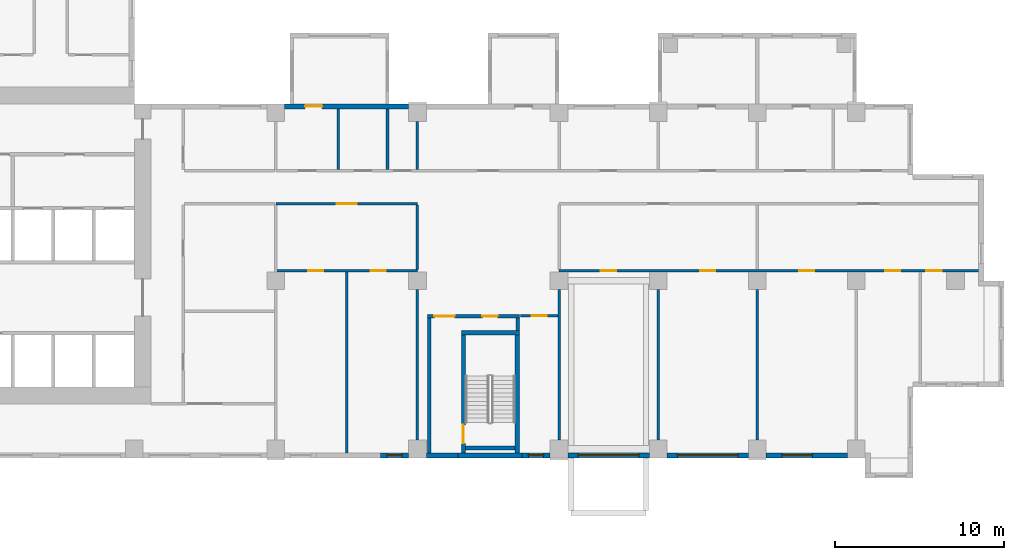
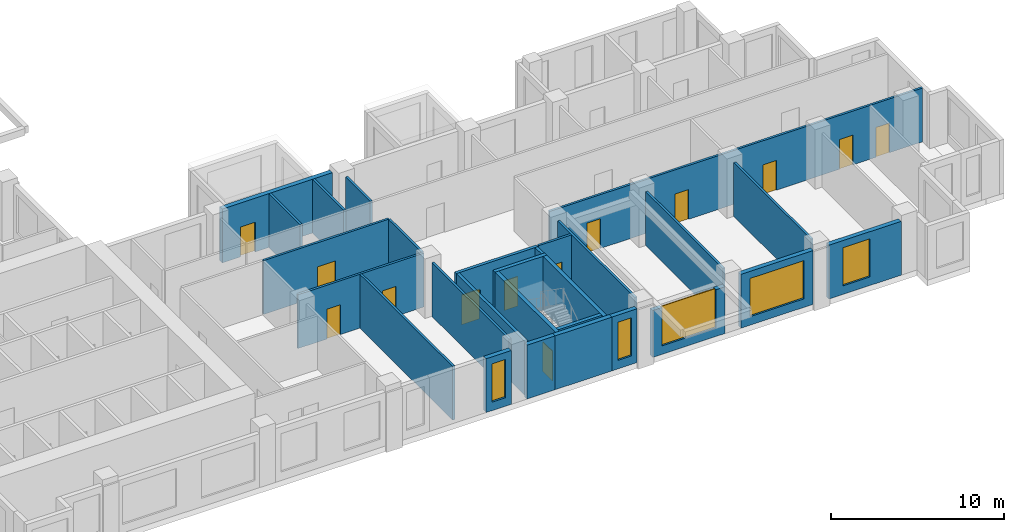
# One storey, part 4 of 14: 28 walls, 13 doors, 5 windows, 18 openings.
"""IFC4 building model written with IfcOpenShell, lengths in metres."""

from ifc_helpers import new_model, si_unit, direction, frame, frame_2d, origin, place, context, subcontext, project, spatial, rectangle, extrude, source, transform, mapped, material, layer, layer_set, type_object, element, fill, save


model = new_model("IFC4")

# Units and contexts
model_context = context("Model", 3, precision=1e-05, world=origin(), true_north=direction((0.0, 1.0)))
body_context = subcontext(model_context, "Body", "Model", "MODEL_VIEW")
ifc_project = project(units=[si_unit("LENGTHUNIT", "METRE"), si_unit("AREAUNIT", "SQUARE_METRE"), si_unit("VOLUMEUNIT", "CUBIC_METRE"), si_unit("PLANEANGLEUNIT", "RADIAN"), si_unit("MASSUNIT", "GRAM", prefix="KILO")], contexts=[model_context])

# Site, building, storey
site_placement = place(None, origin())
site = spatial("IfcSite", under=ifc_project, at=site_placement, CompositionType="ELEMENT")
building_placement = place(site_placement, origin())
building = spatial("IfcBuilding", under=site, at=building_placement, Name="Aurelian Terraces", CompositionType="ELEMENT")
storey_placement = place(building_placement, frame((0.0, 0.0, 141.3)))
storey = spatial("IfcBuildingStorey", under=building, at=storey_placement, Name="L31", CompositionType="ELEMENT", Elevation=141.3)

# Wall
ifc_material_1 = material(Name="Concrete fc' 40 MPa", Category="concrete")
ifc_layer_1 = layer(ifc_material_1, 0.3)
ifc_layer_set_1 = layer_set([ifc_layer_1], Name="STAIR BAY WALL 300")
wall_type_1 = type_object("IfcWallType", Name="STAIR BAY WALL 300", PredefinedType="SOLIDWALL", material=ifc_layer_set_1)
shared_shape_1 = source(origin(), body_context, "Body", "SweptSolid", [
    extrude(rectangle(XDim=3.8, YDim=0.3, at=frame_2d((1.9, 0.0))), origin(), (0.0, 0.0, 1.0), 3.8),
])
wall_1_placement = place(storey_placement, frame((40.2, 0.15, 0.0), z_axis=(0.0, 0.0, 1.0), x_axis=(1.0, 0.0, 0.0)))
element("IfcWall", 1, at=wall_1_placement, inside=storey, type_object=wall_type_1, Name="Stair bay wall L31 F01.6", PredefinedType="SOLIDWALL", context=body_context, shape_type="MappedRepresentation", body=[
    mapped(shared_shape_1, transform((0.0, 0.0, 0.0), scale=1.0)),
])

# Wall, opening, door
ifc_material_2 = material(Name="Terracotta rainscreen cladding", Category="masonry")
ifc_layer_2 = layer(ifc_material_2, 0.3)
ifc_layer_set_2 = layer_set([ifc_layer_2], Name="EW-300")
wall_type_2 = type_object("IfcWallType", Name="EW-300", PredefinedType="STANDARD", material=ifc_layer_set_2)
shared_shape_2 = source(origin(), body_context, "Body", "SweptSolid", [
    extrude(rectangle(XDim=7.35, YDim=0.3, at=frame_2d((3.675, 0.0))), origin(), (0.0, 0.0, 1.0), 3.8),
])
wall_2_placement = place(storey_placement, frame((37.275, 20.85, 0.0), z_axis=(0.0, 0.0, 1.0), x_axis=(-1.0, 0.0, 0.0)))
wall_2 = element("IfcWall", 2, at=wall_2_placement, inside=storey, type_object=wall_type_2, Name="External wall L31 F07.19", PredefinedType="STANDARD", context=body_context, shape_type="MappedRepresentation", body=[
    mapped(shared_shape_2, transform((0.0, 0.0, 0.0), scale=1.0)),
])
shared_shape_3 = source(origin(), body_context, "Body", "SweptSolid", [
    extrude(rectangle(XDim=1.0, YDim=2.1, at=frame_2d((0.5, 1.05))), frame((0.0, 0.16, 0.0), z_axis=(0.0, -1.0, 0.0), x_axis=(1.0, 0.0, 0.0)), (0.0, 0.0, 1.0), 0.32),
])
opening_1_placement = place(wall_2_placement, frame((5.135, 0.0, 0.0)))
opening_1 = element("IfcOpeningElement", 3, at=opening_1_placement, cuts=wall_2, Name="Opening 831001", PredefinedType="OPENING", context=body_context, shape_type="MappedRepresentation", body=[
    mapped(shared_shape_3, transform((0.0, 0.0, 0.0), scale=1.0)),
])
ifc_material_3 = material(Name="Timber door leaf", Category="wood")
door_type_1 = type_object("IfcDoorType", Name="Room door 1000x2100 left", OperationType="SINGLE_SWING_LEFT", PredefinedType="DOOR", material=ifc_material_3)
shared_shape_4 = source(origin(), body_context, "Body", "SweptSolid", [
    extrude(rectangle(XDim=1.0, YDim=2.1, at=frame_2d((0.5, 1.05))), frame((0.0, 0.025, 0.0), z_axis=(0.0, -1.0, 0.0), x_axis=(1.0, 0.0, 0.0)), (0.0, 0.0, 1.0), 0.05),
])
door_1_placement = place(opening_1_placement, origin())
door_1 = element("IfcDoor", 4, at=door_1_placement, inside=storey, type_object=door_type_1, Name="Door 831001", OperationType="SINGLE_SWING_LEFT", OverallHeight=2.1, OverallWidth=1.0, PredefinedType="DOOR", context=body_context, shape_type="MappedRepresentation", body=[
    mapped(shared_shape_4, transform((0.0, 0.0, 0.0), scale=1.0)),
])
fill(opening_1, door_1)

# Wall, opening, window
shared_shape_5 = source(origin(), body_context, "Body", "SweptSolid", [
    extrude(rectangle(XDim=4.83, YDim=0.3, at=frame_2d((2.415, 0.0))), origin(), (0.0, 0.0, 1.0), 3.8),
])
wall_3_placement = place(storey_placement, frame((52.605, 0.15, 0.0), z_axis=(0.0, 0.0, 1.0), x_axis=(1.0, 0.0, 0.0)))
wall_3 = element("IfcWall", 5, at=wall_3_placement, inside=storey, type_object=wall_type_2, Name="External wall L31 F01.8", PredefinedType="STANDARD", context=body_context, shape_type="MappedRepresentation", body=[
    mapped(shared_shape_5, transform((0.0, 0.0, 0.0), scale=1.0)),
])
shared_shape_6 = source(origin(), body_context, "Body", "SweptSolid", [
    extrude(rectangle(XDim=3.6, YDim=2.7, at=frame_2d((1.8, 1.35))), frame((0.0, 0.16, 0.0), z_axis=(0.0, -1.0, 0.0), x_axis=(1.0, 0.0, 0.0)), (0.0, 0.0, 1.0), 0.32),
])
opening_2_placement = place(wall_3_placement, frame((0.615, 0.0, 0.6)))
opening_2 = element("IfcOpeningElement", 6, at=opening_2_placement, cuts=wall_3, Name="Opening W3627", PredefinedType="OPENING", context=body_context, shape_type="MappedRepresentation", body=[
    mapped(shared_shape_6, transform((0.0, 0.0, 0.0), scale=1.0)),
])
ifc_material_4 = material(Name="Clear glazing", Category="glass")
window_type_1 = type_object("IfcWindowType", Name="W-3600x2700", PartitioningType="SINGLE_PANEL", PredefinedType="WINDOW", material=ifc_material_4)
shared_shape_7 = source(origin(), body_context, "Body", "SweptSolid", [
    extrude(rectangle(XDim=3.6, YDim=2.7, at=frame_2d((1.8, 1.35))), frame((0.0, 0.03, 0.0), z_axis=(0.0, -1.0, 0.0), x_axis=(1.0, 0.0, 0.0)), (0.0, 0.0, 1.0), 0.06),
])
window_1_placement = place(opening_2_placement, origin())
window_1 = element("IfcWindow", 7, at=window_1_placement, inside=storey, type_object=window_type_1, Name="Window L31 L31-F01-08-0", OverallHeight=2.7, OverallWidth=3.6, PartitioningType="SINGLE_PANEL", PredefinedType="WINDOW", context=body_context, shape_type="MappedRepresentation", body=[
    mapped(shared_shape_7, transform((0.0, 0.0, 0.0), scale=1.0)),
])
fill(opening_2, window_1)

wall_4_placement = place(storey_placement, frame((58.485, 0.15, 0.0), z_axis=(0.0, 0.0, 1.0), x_axis=(1.0, 0.0, 0.0)))
wall_4 = element("IfcWall", 8, at=wall_4_placement, inside=storey, type_object=wall_type_2, Name="External wall L31 F01.9", PredefinedType="STANDARD", context=body_context, shape_type="MappedRepresentation", body=[
    mapped(shared_shape_5, transform((0.0, 0.0, 0.0), scale=1.0)),
])
shared_shape_8 = source(origin(), body_context, "Body", "SweptSolid", [
    extrude(rectangle(XDim=1.8, YDim=2.7, at=frame_2d((0.9, 1.35))), frame((0.0, 0.16, 0.0), z_axis=(0.0, -1.0, 0.0), x_axis=(1.0, 0.0, 0.0)), (0.0, 0.0, 1.0), 0.32),
])
opening_3_placement = place(wall_4_placement, frame((0.9525, 0.0, 0.6)))
opening_3 = element("IfcOpeningElement", 9, at=opening_3_placement, cuts=wall_4, Name="Opening W1827", PredefinedType="OPENING", context=body_context, shape_type="MappedRepresentation", body=[
    mapped(shared_shape_8, transform((0.0, 0.0, 0.0), scale=1.0)),
])
window_type_2 = type_object("IfcWindowType", Name="W-1800x2700", PartitioningType="SINGLE_PANEL", PredefinedType="WINDOW", material=ifc_material_4)
shared_shape_9 = source(origin(), body_context, "Body", "SweptSolid", [
    extrude(rectangle(XDim=1.8, YDim=2.7, at=frame_2d((0.9, 1.35))), frame((0.0, 0.03, 0.0), z_axis=(0.0, -1.0, 0.0), x_axis=(1.0, 0.0, 0.0)), (0.0, 0.0, 1.0), 0.06),
])
window_2_placement = place(opening_3_placement, origin())
window_2 = element("IfcWindow", 10, at=window_2_placement, inside=storey, type_object=window_type_2, Name="Window L31 L31-F01-09-0", OverallHeight=2.7, OverallWidth=1.8, PartitioningType="SINGLE_PANEL", PredefinedType="WINDOW", context=body_context, shape_type="MappedRepresentation", body=[
    mapped(shared_shape_9, transform((0.0, 0.0, 0.0), scale=1.0)),
])
fill(opening_3, window_2)

shared_shape_10 = source(origin(), body_context, "Body", "SweptSolid", [
    extrude(rectangle(XDim=1.675, YDim=0.3, at=frame_2d((0.8375, 0.0))), origin(), (0.0, 0.0, 1.0), 3.8),
])
wall_5_placement = place(storey_placement, frame((35.6, 0.15, 0.0), z_axis=(0.0, 0.0, 1.0), x_axis=(1.0, 0.0, 0.0)))
wall_5 = element("IfcWall", 11, at=wall_5_placement, inside=storey, type_object=wall_type_2, Name="External wall L31 F01.5", PredefinedType="STANDARD", context=body_context, shape_type="MappedRepresentation", body=[
    mapped(shared_shape_10, transform((0.0, 0.0, 0.0), scale=1.0)),
])
shared_shape_11 = source(origin(), body_context, "Body", "SweptSolid", [
    extrude(rectangle(XDim=0.9, YDim=2.7, at=frame_2d((0.45, 1.35))), frame((0.0, 0.16, 0.0), z_axis=(0.0, -1.0, 0.0), x_axis=(1.0, 0.0, 0.0)), (0.0, 0.0, 1.0), 0.32),
])
opening_4_placement = place(wall_5_placement, frame((0.3875, 0.0, 0.6)))
opening_4 = element("IfcOpeningElement", 12, at=opening_4_placement, cuts=wall_5, Name="Opening W0927", PredefinedType="OPENING", context=body_context, shape_type="MappedRepresentation", body=[
    mapped(shared_shape_11, transform((0.0, 0.0, 0.0), scale=1.0)),
])
window_type_3 = type_object("IfcWindowType", Name="W-900x2700", PartitioningType="SINGLE_PANEL", PredefinedType="WINDOW", material=ifc_material_4)
shared_shape_12 = source(origin(), body_context, "Body", "SweptSolid", [
    extrude(rectangle(XDim=0.9, YDim=2.7, at=frame_2d((0.45, 1.35))), frame((0.0, 0.03, 0.0), z_axis=(0.0, -1.0, 0.0), x_axis=(1.0, 0.0, 0.0)), (0.0, 0.0, 1.0), 0.06),
])
window_3_placement = place(opening_4_placement, origin())
window_3 = element("IfcWindow", 13, at=window_3_placement, inside=storey, type_object=window_type_3, Name="Window L31 L31-F01-05-P2", OverallHeight=2.7, OverallWidth=0.9, PartitioningType="SINGLE_PANEL", PredefinedType="WINDOW", context=body_context, shape_type="MappedRepresentation", body=[
    mapped(shared_shape_12, transform((0.0, 0.0, 0.0), scale=1.0)),
])
fill(opening_4, window_3)

wall_6_placement = place(storey_placement, frame((44.0, 0.15, 0.0), z_axis=(0.0, 0.0, 1.0), x_axis=(1.0, 0.0, 0.0)))
wall_6 = element("IfcWall", 14, at=wall_6_placement, inside=storey, type_object=wall_type_2, Name="External wall L31 F01.6", PredefinedType="STANDARD", context=body_context, shape_type="MappedRepresentation", body=[
    mapped(shared_shape_10, transform((0.0, 0.0, 0.0), scale=1.0)),
])
opening_5_placement = place(wall_6_placement, frame((0.3875, 0.0, 0.6)))
opening_5 = element("IfcOpeningElement", 15, at=opening_5_placement, cuts=wall_6, Name="Opening W0927", PredefinedType="OPENING", context=body_context, shape_type="MappedRepresentation", body=[
    mapped(shared_shape_11, transform((0.0, 0.0, 0.0), scale=1.0)),
])
window_4_placement = place(opening_5_placement, origin())
window_4 = element("IfcWindow", 16, at=window_4_placement, inside=storey, type_object=window_type_3, Name="Window L31 L31-F01-06-P2", OverallHeight=2.7, OverallWidth=0.9, PartitioningType="SINGLE_PANEL", PredefinedType="WINDOW", context=body_context, shape_type="MappedRepresentation", body=[
    mapped(shared_shape_12, transform((0.0, 0.0, 0.0), scale=1.0)),
])
fill(opening_5, window_4)

shared_shape_13 = source(origin(), body_context, "Body", "SweptSolid", [
    extrude(rectangle(XDim=4.83, YDim=0.3, at=frame_2d((2.415, 0.0))), origin(), (0.0, 0.0, 1.0), 3.3),
])
wall_7_placement = place(storey_placement, frame((46.725, 0.15, 0.0), z_axis=(0.0, 0.0, 1.0), x_axis=(1.0, 0.0, 0.0)))
wall_7 = element("IfcWall", 17, at=wall_7_placement, inside=storey, type_object=wall_type_2, Name="External wall L31 F01.7", PredefinedType="STANDARD", context=body_context, shape_type="MappedRepresentation", body=[
    mapped(shared_shape_13, transform((0.0, 0.0, 0.0), scale=1.0)),
])
opening_6_placement = place(wall_7_placement, frame((0.615, 0.0, 0.6)))
opening_6 = element("IfcOpeningElement", 18, at=opening_6_placement, cuts=wall_7, Name="Opening W3627", PredefinedType="OPENING", context=body_context, shape_type="MappedRepresentation", body=[
    mapped(shared_shape_6, transform((0.0, 0.0, 0.0), scale=1.0)),
])
window_5_placement = place(opening_6_placement, origin())
window_5 = element("IfcWindow", 19, at=window_5_placement, inside=storey, type_object=window_type_1, Name="Window L31 L31-F01-07-0", OverallHeight=2.7, OverallWidth=3.6, PartitioningType="SINGLE_PANEL", PredefinedType="WINDOW", context=body_context, shape_type="MappedRepresentation", body=[
    mapped(shared_shape_7, transform((0.0, 0.0, 0.0), scale=1.0)),
])
fill(opening_6, window_5)

# Wall
shared_shape_14 = source(origin(), body_context, "Body", "SweptSolid", [
    extrude(rectangle(XDim=1.875, YDim=0.3, at=frame_2d((0.9375, 0.0))), origin(), (0.0, 0.0, 1.0), 3.8),
])
wall_8_placement = place(storey_placement, frame((38.325, 0.15, 0.0), z_axis=(0.0, 0.0, 1.0), x_axis=(1.0, 0.0, 0.0)))
element("IfcWall", 20, at=wall_8_placement, inside=storey, type_object=wall_type_2, Name="External wall L31 F01.6", PredefinedType="STANDARD", context=body_context, shape_type="MappedRepresentation", body=[
    mapped(shared_shape_14, transform((0.0, 0.0, 0.0), scale=1.0)),
])

# Wall, opening, door
ifc_layer_3 = layer(ifc_material_1, 0.25)
ifc_layer_set_3 = layer_set([ifc_layer_3], Name="Stair enclosure wall 250")
wall_type_3 = type_object("IfcWallType", Name="Stair enclosure wall 250", PredefinedType="SOLIDWALL", material=ifc_layer_set_3)
shared_shape_15 = source(origin(), body_context, "Body", "SweptSolid", [
    extrude(rectangle(XDim=7.0, YDim=0.25, at=frame_2d((3.5, 0.0))), origin(), (0.0, 0.0, 1.0), 3.8),
])
wall_9_placement = place(storey_placement, frame((40.525, 0.3, 0.0), z_axis=(0.0, 0.0, 1.0), x_axis=(0.0, 1.0, 0.0)))
wall_9 = element("IfcWall", 21, at=wall_9_placement, inside=storey, type_object=wall_type_3, Name="L31 core wall ST-S2-W", PredefinedType="SOLIDWALL", context=body_context, shape_type="MappedRepresentation", body=[
    mapped(shared_shape_15, transform((0.0, 0.0, 0.0), scale=1.0)),
])
shared_shape_16 = source(origin(), body_context, "Body", "SweptSolid", [
    extrude(rectangle(XDim=1.1, YDim=2.1, at=frame_2d((0.55, 1.05))), frame((0.0, 0.135, 0.0), z_axis=(0.0, -1.0, 0.0), x_axis=(1.0, 0.0, 0.0)), (0.0, 0.0, 1.0), 0.27),
])
opening_7_placement = place(wall_9_placement, frame((0.55, 0.0, 0.0)))
opening_7 = element("IfcOpeningElement", 22, at=opening_7_placement, cuts=wall_9, Name="Opening 63415", PredefinedType="OPENING", context=body_context, shape_type="MappedRepresentation", body=[
    mapped(shared_shape_16, transform((0.0, 0.0, 0.0), scale=1.0)),
])
ifc_material_5 = material(Name="Steel door leaf", Category="steel")
door_type_2 = type_object("IfcDoorType", Name="Core fire door 1100x2100 right", OperationType="SINGLE_SWING_RIGHT", PredefinedType="DOOR", material=ifc_material_5)
shared_shape_17 = source(origin(), body_context, "Body", "SweptSolid", [
    extrude(rectangle(XDim=1.1, YDim=2.1, at=frame_2d((0.55, 1.05))), frame((0.0, 0.025, 0.0), z_axis=(0.0, -1.0, 0.0), x_axis=(1.0, 0.0, 0.0)), (0.0, 0.0, 1.0), 0.05),
])
door_2_placement = place(opening_7_placement, origin())
door_2 = element("IfcDoor", 23, at=door_2_placement, inside=storey, type_object=door_type_2, Name="Stair door 63415", OperationType="SINGLE_SWING_RIGHT", OverallHeight=2.1, OverallWidth=1.1, PredefinedType="DOOR", context=body_context, shape_type="MappedRepresentation", body=[
    mapped(shared_shape_17, transform((0.0, 0.0, 0.0), scale=1.0)),
])
fill(opening_7, door_2)

# Walls
wall_10_placement = place(storey_placement, frame((43.725, 0.3, 0.0), z_axis=(0.0, 0.0, 1.0), x_axis=(0.0, 1.0, 0.0)))
element("IfcWall", 24, at=wall_10_placement, inside=storey, type_object=wall_type_3, Name="L31 core wall ST-S2-E", PredefinedType="SOLIDWALL", context=body_context, shape_type="MappedRepresentation", body=[
    mapped(shared_shape_15, transform((0.0, 0.0, 0.0), scale=1.0)),
])
shared_shape_18 = source(origin(), body_context, "Body", "SweptSolid", [
    extrude(rectangle(XDim=3.45, YDim=0.25, at=frame_2d((1.725, 0.0))), origin(), (0.0, 0.0, 1.0), 3.8),
])
wall_11_placement = place(storey_placement, frame((40.4, 7.425, 0.0), z_axis=(0.0, 0.0, 1.0), x_axis=(1.0, 0.0, 0.0)))
element("IfcWall", 25, at=wall_11_placement, inside=storey, type_object=wall_type_3, Name="L31 core wall ST-S2-N", PredefinedType="SOLIDWALL", context=body_context, shape_type="MappedRepresentation", body=[
    mapped(shared_shape_18, transform((0.0, 0.0, 0.0), scale=1.0)),
])
shared_shape_19 = source(origin(), body_context, "Body", "SweptSolid", [
    extrude(rectangle(XDim=2.95, YDim=0.25, at=frame_2d((1.475, 0.0))), origin(), (0.0, 0.0, 1.0), 3.8),
])
wall_12_placement = place(storey_placement, frame((40.65, 0.575, 0.0), z_axis=(0.0, 0.0, 1.0), x_axis=(1.0, 0.0, 0.0)))
element("IfcWall", 26, at=wall_12_placement, inside=storey, type_object=wall_type_3, Name="L31 core wall ST-S2-SS", PredefinedType="SOLIDWALL", context=body_context, shape_type="MappedRepresentation", body=[
    mapped(shared_shape_19, transform((0.0, 0.0, 0.0), scale=1.0)),
])
ifc_material_6 = material(Name="Gypsum board on steel studs", Category="steel")
ifc_layer_4 = layer(ifc_material_6, 0.2)
ifc_layer_set_4 = layer_set([ifc_layer_4], Name="Core partition 200")
wall_type_4 = type_object("IfcWallType", Name="Core partition 200", PredefinedType="PARTITIONING", material=ifc_layer_set_4)
shared_shape_20 = source(origin(), body_context, "Body", "SweptSolid", [
    extrude(rectangle(XDim=8.0, YDim=0.2, at=frame_2d((4.0, 0.0))), origin(), (0.0, 0.0, 1.0), 3.8),
])
wall_13_placement = place(storey_placement, frame((38.5, 0.3, 0.0), z_axis=(0.0, 0.0, 1.0), x_axis=(0.0, 1.0, 0.0)))
element("IfcWall", 27, at=wall_13_placement, inside=storey, type_object=wall_type_4, Name="L31 core wall ST-S2-VW", PredefinedType="PARTITIONING", context=body_context, shape_type="MappedRepresentation", body=[
    mapped(shared_shape_20, transform((0.0, 0.0, 0.0), scale=1.0)),
])

# Wall, openings, doors
shared_shape_21 = source(origin(), body_context, "Body", "SweptSolid", [
    extrude(rectangle(XDim=5.45, YDim=0.2, at=frame_2d((2.725, 0.0))), origin(), (0.0, 0.0, 1.0), 3.8),
])
wall_14_placement = place(storey_placement, frame((38.4, 8.4, 0.0), z_axis=(0.0, 0.0, 1.0), x_axis=(1.0, 0.0, 0.0)))
wall_14 = element("IfcWall", 28, at=wall_14_placement, inside=storey, type_object=wall_type_4, Name="L31 core wall ST-S2-BN", PredefinedType="PARTITIONING", context=body_context, shape_type="MappedRepresentation", body=[
    mapped(shared_shape_21, transform((0.0, 0.0, 0.0), scale=1.0)),
])
shared_shape_22 = source(origin(), body_context, "Body", "SweptSolid", [
    extrude(rectangle(XDim=1.2, YDim=2.1, at=frame_2d((0.6, 1.05))), frame((0.0, 0.11, 0.0), z_axis=(0.0, -1.0, 0.0), x_axis=(1.0, 0.0, 0.0)), (0.0, 0.0, 1.0), 0.22),
])
opening_8_placement = place(wall_14_placement, frame((0.4, 0.0, 0.0)))
opening_8 = element("IfcOpeningElement", 29, at=opening_8_placement, cuts=wall_14, Name="Opening 63416", PredefinedType="OPENING", context=body_context, shape_type="MappedRepresentation", body=[
    mapped(shared_shape_22, transform((0.0, 0.0, 0.0), scale=1.0)),
])
shared_shape_23 = source(origin(), body_context, "Body", "SweptSolid", [
    extrude(rectangle(XDim=0.9, YDim=2.1, at=frame_2d((0.45, 1.05))), frame((0.0, 0.11, 0.0), z_axis=(0.0, -1.0, 0.0), x_axis=(1.0, 0.0, 0.0)), (0.0, 0.0, 1.0), 0.22),
])
opening_9_placement = place(wall_14_placement, frame((3.25, 0.0, 0.0)))
opening_9 = element("IfcOpeningElement", 30, at=opening_9_placement, cuts=wall_14, Name="Opening 63417", PredefinedType="OPENING", context=body_context, shape_type="MappedRepresentation", body=[
    mapped(shared_shape_23, transform((0.0, 0.0, 0.0), scale=1.0)),
])
door_type_3 = type_object("IfcDoorType", Name="Core riser door 900x2100 right", OperationType="SINGLE_SWING_RIGHT", PredefinedType="DOOR", material=ifc_material_5)
shared_shape_24 = source(origin(), body_context, "Body", "SweptSolid", [
    extrude(rectangle(XDim=0.9, YDim=2.1, at=frame_2d((0.45, 1.05))), frame((0.0, 0.025, 0.0), z_axis=(0.0, -1.0, 0.0), x_axis=(1.0, 0.0, 0.0)), (0.0, 0.0, 1.0), 0.05),
])
door_3_placement = place(opening_9_placement, origin())
door_3 = element("IfcDoor", 31, at=door_3_placement, inside=storey, type_object=door_type_3, Name="Riser door 63417", OperationType="SINGLE_SWING_RIGHT", OverallHeight=2.1, OverallWidth=0.9, PredefinedType="DOOR", context=body_context, shape_type="MappedRepresentation", body=[
    mapped(shared_shape_24, transform((0.0, 0.0, 0.0), scale=1.0)),
])
fill(opening_9, door_3)
door_type_4 = type_object("IfcDoorType", Name="Core fire door 1200x2100", OperationType="SINGLE_SWING_LEFT", PredefinedType="DOOR", material=ifc_material_5)
shared_shape_25 = source(origin(), body_context, "Body", "SweptSolid", [
    extrude(rectangle(XDim=1.2, YDim=2.1, at=frame_2d((0.6, 1.05))), frame((0.0, 0.025, 0.0), z_axis=(0.0, -1.0, 0.0), x_axis=(1.0, 0.0, 0.0)), (0.0, 0.0, 1.0), 0.05),
])
door_4_placement = place(opening_8_placement, origin())
door_4 = element("IfcDoor", 32, at=door_4_placement, inside=storey, type_object=door_type_4, Name="Vestibule door 63416", OperationType="SINGLE_SWING_LEFT", OverallHeight=2.1, OverallWidth=1.2, PredefinedType="DOOR", context=body_context, shape_type="MappedRepresentation", body=[
    mapped(shared_shape_25, transform((0.0, 0.0, 0.0), scale=1.0)),
])
fill(opening_8, door_4)

# Walls
shared_shape_26 = source(origin(), body_context, "Body", "SweptSolid", [
    extrude(rectangle(XDim=0.75, YDim=0.2, at=frame_2d((0.375, 0.0))), origin(), (0.0, 0.0, 1.0), 3.8),
])
wall_15_placement = place(storey_placement, frame((43.75, 7.55, 0.0), z_axis=(0.0, 0.0, 1.0), x_axis=(0.0, 1.0, 0.0)))
element("IfcWall", 33, at=wall_15_placement, inside=storey, type_object=wall_type_4, Name="L31 core wall ST-S2-RE", PredefinedType="PARTITIONING", context=body_context, shape_type="MappedRepresentation", body=[
    mapped(shared_shape_26, transform((0.0, 0.0, 0.0), scale=1.0)),
])
ifc_layer_5 = layer(ifc_material_6, 0.15)
ifc_layer_set_5 = layer_set([ifc_layer_5], Name="Partition 150")
wall_type_5 = type_object("IfcWallType", Name="Partition 150", PredefinedType="PARTITIONING", material=ifc_layer_set_5)
shared_shape_27 = source(origin(), body_context, "Body", "SweptSolid", [
    extrude(rectangle(XDim=3.6, YDim=0.15, at=frame_2d((1.8, 0.0))), origin(), (0.0, 0.0, 1.0), 3.8),
])
for number, where, z_axis, x_axis, name in (
    (34, (33.1133, 20.7, 0.0), (0.0, 0.0, 1.0), (0.0, -1.0, 0.0), "Partition"),
    (35, (36.024, 20.7, 0.0), (0.0, 0.0, 1.0), (0.0, -1.0, 0.0), "Partition"),
):
    element("IfcWall", number, at=place(storey_placement, frame(where, z_axis=z_axis, x_axis=x_axis)), inside=storey, type_object=wall_type_5, Name=name, PredefinedType="PARTITIONING", context=body_context, shape_type="MappedRepresentation", body=[
        mapped(shared_shape_27, transform((0.0, 0.0, 0.0), scale=1.0)),
    ])

# Wall, openings, doors
shared_shape_28 = source(origin(), body_context, "Body", "SweptSolid", [
    extrude(rectangle(XDim=8.4, YDim=0.15, at=frame_2d((4.2, 0.0))), origin(), (0.0, 0.0, 1.0), 3.8),
])
wall_16_placement = place(storey_placement, frame((37.8, 11.1, 0.0), z_axis=(0.0, 0.0, 1.0), x_axis=(-1.0, 0.0, 0.0)))
wall_16 = element("IfcWall", 36, at=wall_16_placement, inside=storey, type_object=wall_type_5, Name="Partition", PredefinedType="PARTITIONING", context=body_context, shape_type="MappedRepresentation", body=[
    mapped(shared_shape_28, transform((0.0, 0.0, 0.0), scale=1.0)),
])
shared_shape_29 = source(origin(), body_context, "Body", "SweptSolid", [
    extrude(rectangle(XDim=0.9, YDim=2.1, at=frame_2d((0.45, 1.05))), frame((0.0, 0.085, 0.0), z_axis=(0.0, -1.0, 0.0), x_axis=(1.0, 0.0, 0.0)), (0.0, 0.0, 1.0), 0.17),
])
opening_10_placement = place(wall_16_placement, frame((5.575, 0.0, 0.0)))
opening_10 = element("IfcOpeningElement", 37, at=opening_10_placement, cuts=wall_16, Name="Opening 731007", PredefinedType="OPENING", context=body_context, shape_type="MappedRepresentation", body=[
    mapped(shared_shape_29, transform((0.0, 0.0, 0.0), scale=1.0)),
])
opening_11_placement = place(wall_16_placement, frame((1.875, 0.0, 0.0)))
opening_11 = element("IfcOpeningElement", 38, at=opening_11_placement, cuts=wall_16, Name="Opening 731008", PredefinedType="OPENING", context=body_context, shape_type="MappedRepresentation", body=[
    mapped(shared_shape_29, transform((0.0, 0.0, 0.0), scale=1.0)),
])
door_type_5 = type_object("IfcDoorType", Name="Room door 900x2100 right", OperationType="SINGLE_SWING_RIGHT", PredefinedType="DOOR", material=ifc_material_3)
door_5_placement = place(opening_10_placement, origin())
door_5 = element("IfcDoor", 39, at=door_5_placement, inside=storey, type_object=door_type_5, Name="Door 731007", OperationType="SINGLE_SWING_RIGHT", OverallHeight=2.1, OverallWidth=0.9, PredefinedType="DOOR", context=body_context, shape_type="MappedRepresentation", body=[
    mapped(shared_shape_24, transform((0.0, 0.0, 0.0), scale=1.0)),
])
fill(opening_10, door_5)
door_type_6 = type_object("IfcDoorType", Name="Room door 900x2100 left", OperationType="SINGLE_SWING_LEFT", PredefinedType="DOOR", material=ifc_material_3)
door_6_placement = place(opening_11_placement, origin())
door_6 = element("IfcDoor", 40, at=door_6_placement, inside=storey, type_object=door_type_6, Name="Door 731008", OperationType="SINGLE_SWING_LEFT", OverallHeight=2.1, OverallWidth=0.9, PredefinedType="DOOR", context=body_context, shape_type="MappedRepresentation", body=[
    mapped(shared_shape_24, transform((0.0, 0.0, 0.0), scale=1.0)),
])
fill(opening_11, door_6)

# Wall, opening, door
ifc_layer_6 = layer(ifc_material_6, 0.15)
ifc_layer_set_6 = layer_set([ifc_layer_6], Name="Fire partition 150")
wall_type_6 = type_object("IfcWallType", Name="Fire partition 150", PredefinedType="PARTITIONING", material=ifc_layer_set_6)
wall_17_placement = place(storey_placement, frame((37.8, 15.075, 0.0), z_axis=(0.0, 0.0, 1.0), x_axis=(-1.0, 0.0, 0.0)))
wall_17 = element("IfcWall", 41, at=wall_17_placement, inside=storey, type_object=wall_type_6, Name="Corridor wall", PredefinedType="PARTITIONING", context=body_context, shape_type="MappedRepresentation", body=[
    mapped(shared_shape_28, transform((0.0, 0.0, 0.0), scale=1.0)),
])
shared_shape_30 = source(origin(), body_context, "Body", "SweptSolid", [
    extrude(rectangle(XDim=1.2, YDim=2.1, at=frame_2d((0.6, 1.05))), frame((0.0, 0.085, 0.0), z_axis=(0.0, -1.0, 0.0), x_axis=(1.0, 0.0, 0.0)), (0.0, 0.0, 1.0), 0.17),
])
opening_12_placement = place(wall_17_placement, frame((3.6, 0.0, 0.0)))
opening_12 = element("IfcOpeningElement", 42, at=opening_12_placement, cuts=wall_17, Name="Opening 731006", PredefinedType="OPENING", context=body_context, shape_type="MappedRepresentation", body=[
    mapped(shared_shape_30, transform((0.0, 0.0, 0.0), scale=1.0)),
])
door_type_7 = type_object("IfcDoorType", Name="Room door 1200x2100 left", OperationType="SINGLE_SWING_LEFT", PredefinedType="DOOR", material=ifc_material_3)
door_7_placement = place(opening_12_placement, origin())
door_7 = element("IfcDoor", 43, at=door_7_placement, inside=storey, type_object=door_type_7, Name="Door 731006", OperationType="SINGLE_SWING_LEFT", OverallHeight=2.1, OverallWidth=1.2, PredefinedType="DOOR", context=body_context, shape_type="MappedRepresentation", body=[
    mapped(shared_shape_25, transform((0.0, 0.0, 0.0), scale=1.0)),
])
fill(opening_12, door_7)

# Wall, openings, doors
shared_shape_31 = source(origin(), body_context, "Body", "SweptSolid", [
    extrude(rectangle(XDim=24.9, YDim=0.15, at=frame_2d((12.45, 0.0))), origin(), (0.0, 0.0, 1.0), 3.8),
])
wall_18_placement = place(storey_placement, frame((71.1, 11.1, 0.0), z_axis=(0.0, 0.0, 1.0), x_axis=(-1.0, 0.0, 0.0)))
wall_18 = element("IfcWall", 44, at=wall_18_placement, inside=storey, type_object=wall_type_5, Name="Partition", PredefinedType="PARTITIONING", context=body_context, shape_type="MappedRepresentation", body=[
    mapped(shared_shape_31, transform((0.0, 0.0, 0.0), scale=1.0)),
])
opening_13_placement = place(wall_18_placement, frame((21.51, 0.0, 0.0)))
opening_13 = element("IfcOpeningElement", 45, at=opening_13_placement, cuts=wall_18, Name="Opening 731010", PredefinedType="OPENING", context=body_context, shape_type="MappedRepresentation", body=[
    mapped(shared_shape_29, transform((0.0, 0.0, 0.0), scale=1.0)),
])
opening_14_placement = place(wall_18_placement, frame((15.63, 0.0, 0.0)))
opening_14 = element("IfcOpeningElement", 46, at=opening_14_placement, cuts=wall_18, Name="Opening 731011", PredefinedType="OPENING", context=body_context, shape_type="MappedRepresentation", body=[
    mapped(shared_shape_29, transform((0.0, 0.0, 0.0), scale=1.0)),
])
opening_15_placement = place(wall_18_placement, frame((9.75, 0.0, 0.0)))
opening_15 = element("IfcOpeningElement", 47, at=opening_15_placement, cuts=wall_18, Name="Opening 731013", PredefinedType="OPENING", context=body_context, shape_type="MappedRepresentation", body=[
    mapped(shared_shape_29, transform((0.0, 0.0, 0.0), scale=1.0)),
])
opening_16_placement = place(wall_18_placement, frame((4.645, 0.0, 0.0)))
opening_16 = element("IfcOpeningElement", 48, at=opening_16_placement, cuts=wall_18, Name="Opening 731014", PredefinedType="OPENING", context=body_context, shape_type="MappedRepresentation", body=[
    mapped(shared_shape_29, transform((0.0, 0.0, 0.0), scale=1.0)),
])
opening_17_placement = place(wall_18_placement, frame((2.205, 0.0, 0.0)))
opening_17 = element("IfcOpeningElement", 49, at=opening_17_placement, cuts=wall_18, Name="Opening 731015", PredefinedType="OPENING", context=body_context, shape_type="MappedRepresentation", body=[
    mapped(shared_shape_29, transform((0.0, 0.0, 0.0), scale=1.0)),
])
door_8_placement = place(opening_13_placement, origin())
door_8 = element("IfcDoor", 50, at=door_8_placement, inside=storey, type_object=door_type_5, Name="Door 731010", OperationType="SINGLE_SWING_RIGHT", OverallHeight=2.1, OverallWidth=0.9, PredefinedType="DOOR", context=body_context, shape_type="MappedRepresentation", body=[
    mapped(shared_shape_24, transform((0.0, 0.0, 0.0), scale=1.0)),
])
fill(opening_13, door_8)
door_9_placement = place(opening_14_placement, origin())
door_9 = element("IfcDoor", 51, at=door_9_placement, inside=storey, type_object=door_type_6, Name="Door 731011", OperationType="SINGLE_SWING_LEFT", OverallHeight=2.1, OverallWidth=0.9, PredefinedType="DOOR", context=body_context, shape_type="MappedRepresentation", body=[
    mapped(shared_shape_24, transform((0.0, 0.0, 0.0), scale=1.0)),
])
fill(opening_14, door_9)
door_10_placement = place(opening_15_placement, origin())
door_10 = element("IfcDoor", 52, at=door_10_placement, inside=storey, type_object=door_type_5, Name="Door 731013", OperationType="SINGLE_SWING_RIGHT", OverallHeight=2.1, OverallWidth=0.9, PredefinedType="DOOR", context=body_context, shape_type="MappedRepresentation", body=[
    mapped(shared_shape_24, transform((0.0, 0.0, 0.0), scale=1.0)),
])
fill(opening_15, door_10)
door_11_placement = place(opening_16_placement, origin())
door_11 = element("IfcDoor", 53, at=door_11_placement, inside=storey, type_object=door_type_6, Name="Door 731014", OperationType="SINGLE_SWING_LEFT", OverallHeight=2.1, OverallWidth=0.9, PredefinedType="DOOR", context=body_context, shape_type="MappedRepresentation", body=[
    mapped(shared_shape_24, transform((0.0, 0.0, 0.0), scale=1.0)),
])
fill(opening_16, door_11)
door_12_placement = place(opening_17_placement, origin())
door_12 = element("IfcDoor", 54, at=door_12_placement, inside=storey, type_object=door_type_5, Name="Door 731015", OperationType="SINGLE_SWING_RIGHT", OverallHeight=2.1, OverallWidth=0.9, PredefinedType="DOOR", context=body_context, shape_type="MappedRepresentation", body=[
    mapped(shared_shape_24, transform((0.0, 0.0, 0.0), scale=1.0)),
])
fill(opening_17, door_12)

# Wall, opening, door
shared_shape_32 = source(origin(), body_context, "Body", "SweptSolid", [
    extrude(rectangle(XDim=2.2, YDim=0.15, at=frame_2d((1.1, 0.0))), origin(), (0.0, 0.0, 1.0), 3.8),
])
wall_19_placement = place(storey_placement, frame((46.125, 8.425, 0.0), z_axis=(0.0, 0.0, 1.0), x_axis=(-1.0, 0.0, 0.0)))
wall_19 = element("IfcWall", 55, at=wall_19_placement, inside=storey, type_object=wall_type_5, Name="Partition", PredefinedType="PARTITIONING", context=body_context, shape_type="MappedRepresentation", body=[
    mapped(shared_shape_32, transform((0.0, 0.0, 0.0), scale=1.0)),
])
opening_18_placement = place(wall_19_placement, frame((0.65, 0.0, 0.0)))
opening_18 = element("IfcOpeningElement", 56, at=opening_18_placement, cuts=wall_19, Name="Opening 731005", PredefinedType="OPENING", context=body_context, shape_type="MappedRepresentation", body=[
    mapped(shared_shape_29, transform((0.0, 0.0, 0.0), scale=1.0)),
])
door_13_placement = place(opening_18_placement, origin())
door_13 = element("IfcDoor", 57, at=door_13_placement, inside=storey, type_object=door_type_5, Name="Door 731005", OperationType="SINGLE_SWING_RIGHT", OverallHeight=2.1, OverallWidth=0.9, PredefinedType="DOOR", context=body_context, shape_type="MappedRepresentation", body=[
    mapped(shared_shape_24, transform((0.0, 0.0, 0.0), scale=1.0)),
])
fill(opening_18, door_13)

# Walls
shared_shape_33 = source(origin(), body_context, "Body", "SweptSolid", [
    extrude(rectangle(XDim=3.825, YDim=0.15, at=frame_2d((1.9125, 0.0))), origin(), (0.0, 0.0, 1.0), 3.8),
])
wall_20_placement = place(storey_placement, frame((37.8, 11.175, 0.0), z_axis=(0.0, 0.0, 1.0), x_axis=(0.0, 1.0, 0.0)))
element("IfcWall", 58, at=wall_20_placement, inside=storey, type_object=wall_type_5, Name="Partition", PredefinedType="PARTITIONING", context=body_context, shape_type="MappedRepresentation", body=[
    mapped(shared_shape_33, transform((0.0, 0.0, 0.0), scale=1.0)),
])
shared_shape_34 = source(origin(), body_context, "Body", "SweptSolid", [
    extrude(rectangle(XDim=8.927, YDim=0.15, at=frame_2d((4.4635, 0.0))), origin(), (0.0, 0.0, 1.0), 3.8),
])
for number, where, z_axis, x_axis, name in (
    (59, (37.8, 1.049, 0.0), (0.0, 0.0, 1.0), (0.0, 1.0, 0.0), "Partition"),
    (60, (52.08, 1.049, 0.0), (0.0, 0.0, 1.0), (0.0, 1.0, 0.0), "Partition"),
    (61, (46.2, 1.049, 0.0), (0.0, 0.0, 1.0), (0.0, 1.0, 0.0), "Partition"),
    (62, (57.96, 1.049, 0.0), (0.0, 0.0, 1.0), (0.0, 1.0, 0.0), "Partition"),
):
    element("IfcWall", number, at=place(storey_placement, frame(where, z_axis=z_axis, x_axis=x_axis)), inside=storey, type_object=wall_type_5, Name=name, PredefinedType="PARTITIONING", context=body_context, shape_type="MappedRepresentation", body=[
        mapped(shared_shape_34, transform((0.0, 0.0, 0.0), scale=1.0)),
    ])
shared_shape_35 = source(origin(), body_context, "Body", "SweptSolid", [
    extrude(rectangle(XDim=2.851, YDim=0.15, at=frame_2d((1.4255, 0.0))), origin(), (0.0, 0.0, 1.0), 3.8),
])
wall_21_placement = place(storey_placement, frame((37.8, 17.1, 0.0), z_axis=(0.0, 0.0, 1.0), x_axis=(0.0, 1.0, 0.0)))
element("IfcWall", 63, at=wall_21_placement, inside=storey, type_object=wall_type_5, Name="Partition", PredefinedType="PARTITIONING", context=body_context, shape_type="MappedRepresentation", body=[
    mapped(shared_shape_35, transform((0.0, 0.0, 0.0), scale=1.0)),
])
shared_shape_36 = source(origin(), body_context, "Body", "SweptSolid", [
    extrude(rectangle(XDim=10.725, YDim=0.15, at=frame_2d((5.3625, 0.0))), origin(), (0.0, 0.0, 1.0), 3.8),
])
wall_22_placement = place(storey_placement, frame((33.6, 0.3, 0.0), z_axis=(0.0, 0.0, 1.0), x_axis=(0.0, 1.0, 0.0)))
element("IfcWall", 64, at=wall_22_placement, inside=storey, type_object=wall_type_5, Name="Partition", PredefinedType="PARTITIONING", context=body_context, shape_type="MappedRepresentation", body=[
    mapped(shared_shape_36, transform((0.0, 0.0, 0.0), scale=1.0)),
])

save(model, "model.ifc")
